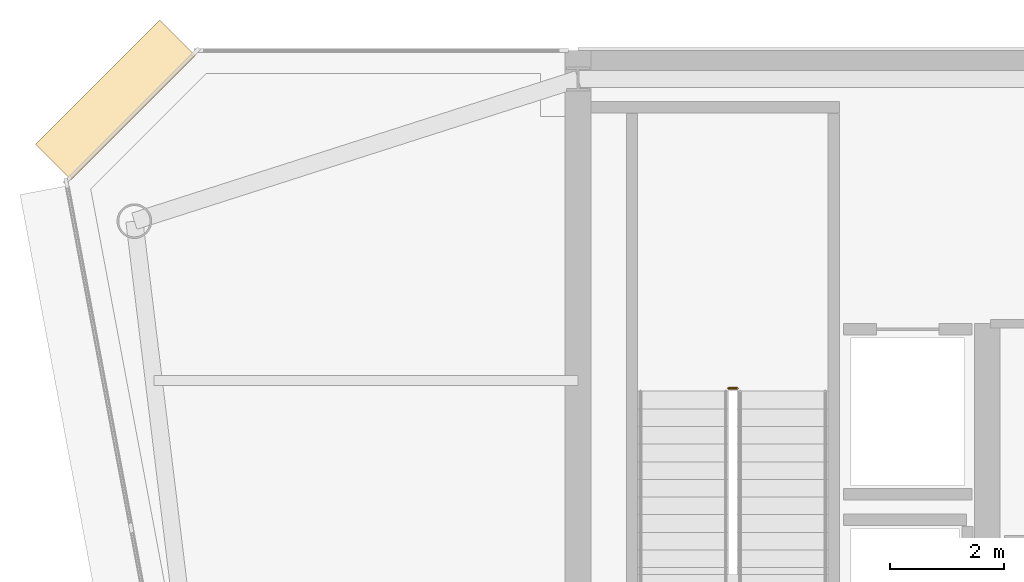
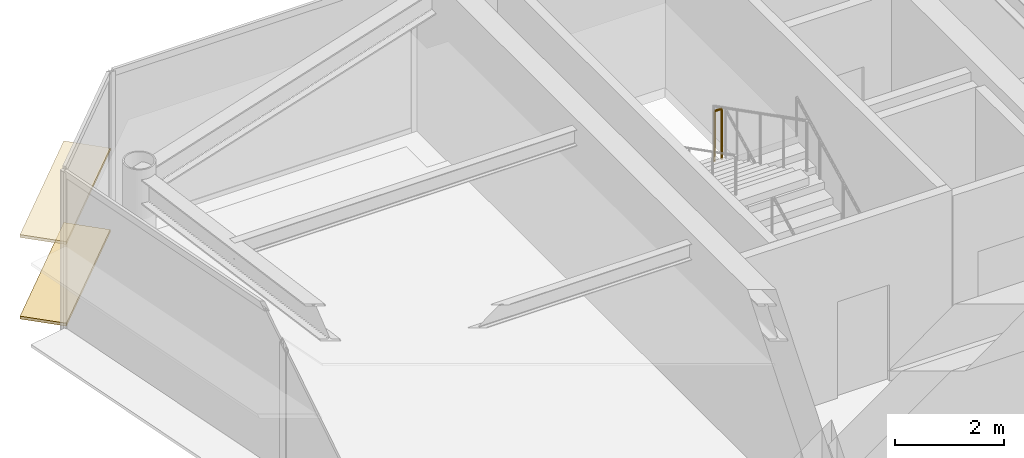
# One storey, part 17 of 19: 2 coverings, 1 railing.
"""IFC4 building model written with IfcOpenShell, lengths in metres."""

from ifc_helpers import new_model, si_unit, direction, frame, origin, origin_2d, place, context, subcontext, project, spatial, rectangle, circle, extrude, source, transform, mapped, material, layer, layer_set, type_object, element, save


model = new_model("IFC4")

# Units and contexts
model_context = context("Model", 3, precision=1e-05, world=origin(), true_north=direction((0.0, 1.0)))
body_context = subcontext(model_context, "Body", "Model", "MODEL_VIEW")
ifc_project = project(units=[si_unit("LENGTHUNIT", "METRE"), si_unit("AREAUNIT", "SQUARE_METRE"), si_unit("VOLUMEUNIT", "CUBIC_METRE"), si_unit("PLANEANGLEUNIT", "RADIAN"), si_unit("MASSUNIT", "GRAM", prefix="KILO")], contexts=[model_context])

# Site, building, storey
site_placement = place(None, origin())
site = spatial("IfcSite", under=ifc_project, at=site_placement, CompositionType="ELEMENT")
building_placement = place(site_placement, origin())
building = spatial("IfcBuilding", under=site, at=building_placement, Name="Vaeldorn Concourse Tower", CompositionType="ELEMENT")
storey_placement = place(building_placement, frame((0.0, 0.0, 276.39990234375)))
storey = spatial("IfcBuildingStorey", under=building, at=storey_placement, Name="L71", CompositionType="ELEMENT", Elevation=276.39990234375)

# Railing
ifc_material = material(Name="Anodised Bronze Aluminium", Category="aluminium")
railing_type = type_object("IfcRailingType", Name="RL-STAIR-GUARD", PredefinedType="GUARDRAIL", material=ifc_material)
railing_placement = place(storey_placement, frame((16.800048828125, 45.06005859375, 1.900146484375)))
element("IfcRailing", 1, at=railing_placement, inside=storey, type_object=railing_type, Name="L71 ST-1 stair guard 2", PredefinedType="GUARDRAIL", context=body_context, shape_type="SweptSolid", body=[
    extrude(circle(Radius=0.02392578125, at=origin_2d()), frame((0.0, 0.0, 1.1259765625), z_axis=(-1.0, 0.0, 0.0), x_axis=(0.0, -1.0, 0.0)), (0.0, 0.0, 1.0), 0.150146484375),
    extrude(circle(Radius=0.02099609375, at=origin_2d()), origin(), (0.0, 0.0, 1.0), 1.101806640625),
    extrude(circle(Radius=0.02099609375, at=origin_2d()), frame((-0.150146484375, 0.0, 0.0)), (0.0, 0.0, 1.0), 1.101806640625),
])

# Coverings
ifc_layer = layer(ifc_material, 0.06494140625)
ifc_layer_set = layer_set([ifc_layer], Name="Anodised Bronze Aluminium")
covering_type = type_object("IfcCoveringType", Name="SD-BRONZE-SUNSHADE", PredefinedType="USERDEFINED", material=ifc_layer_set)
shared_shape = source(origin(), body_context, "Body", "SweptSolid", [
    extrude(rectangle(XDim=3.0927734375, YDim=0.8798828125, at=origin_2d()), origin(), (0.0, 0.0, 1.0), 0.06494140625),
])
for number, where, z_axis, x_axis, name in (
    (2, (5.8671875, 50.1328125, 0.047607421875), (0.0, 0.0, 1.0), (-0.707106781187, -0.707106781187, 0.0), "Horizontal Bronze Sunshade L71-E10.1.1"),
    (3, (5.8671875, 50.1328125, 1.86767578125), (0.0, 0.0, 1.0), (-0.707106781187, -0.707106781187, 0.0), "Horizontal Bronze Sunshade L71-E10.1.2"),
):
    element("IfcCovering", number, at=place(storey_placement, frame(where, z_axis=z_axis, x_axis=x_axis)), inside=storey, type_object=covering_type, Name=name, ObjectType="SUNSHADE", PredefinedType="USERDEFINED", context=body_context, shape_type="MappedRepresentation", body=[
        mapped(shared_shape, transform((0.0, 0.0, 0.0), scale=1.0)),
    ])

save(model, "model.ifc")
